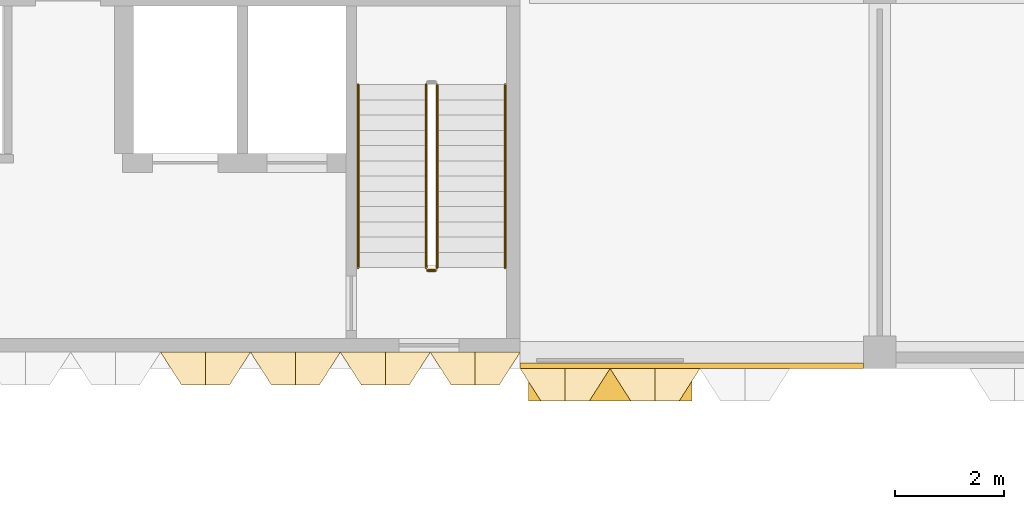
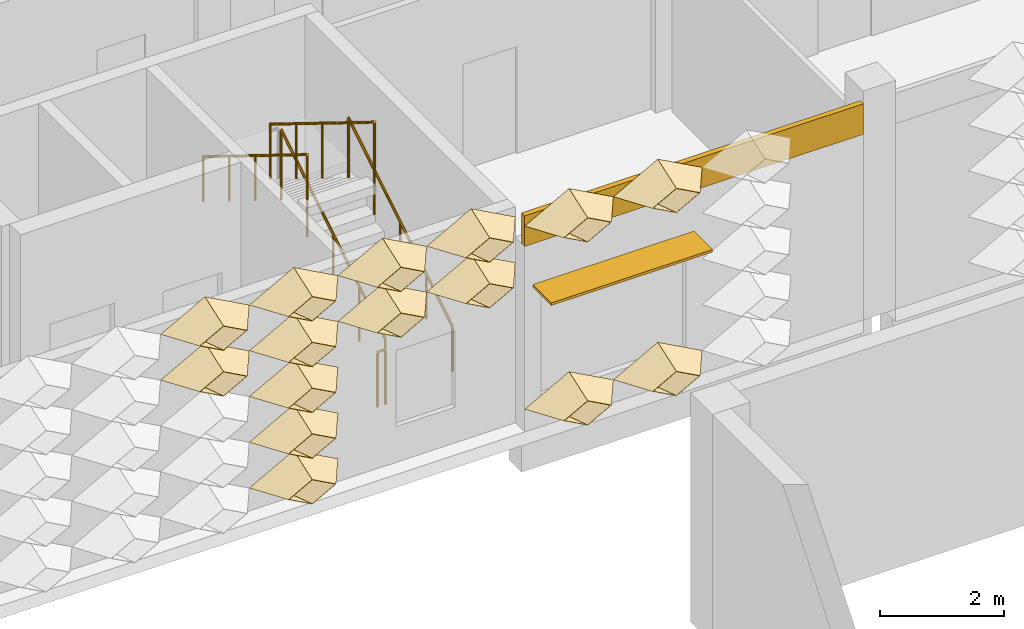
# One storey, part 74 of 87: 16 coverings, 5 railings, 1 shading device.
"""IFC4 building model written with IfcOpenShell, lengths in metres."""

from ifc_helpers import new_model, entity, si_unit, direction, frame, frame_2d, origin, origin_2d, place, context, subcontext, project, spatial, rectangle, circle, extrude, material, layer, layer_set, type_object, element, save


model = new_model("IFC4")

# Units and contexts
model_context = context("Model", 3, precision=1e-05, world=origin(), true_north=direction((0.0, 1.0)))
body_context = subcontext(model_context, "Body", "Model", "MODEL_VIEW")
ifc_project = project(units=[si_unit("LENGTHUNIT", "METRE"), si_unit("AREAUNIT", "SQUARE_METRE"), si_unit("VOLUMEUNIT", "CUBIC_METRE"), si_unit("PLANEANGLEUNIT", "RADIAN"), si_unit("MASSUNIT", "GRAM", prefix="KILO")], contexts=[model_context])

# Site, building, storey
site_placement = place(None, origin())
site = spatial("IfcSite", under=ifc_project, at=site_placement, CompositionType="ELEMENT")
building_placement = place(site_placement, origin())
building = spatial("IfcBuilding", under=site, at=building_placement, Name="Lantern Court Research Institute", CompositionType="ELEMENT")
storey_placement = place(building_placement, frame((0.0, 0.0, 5.39990234375)))
storey = spatial("IfcBuildingStorey", under=building, at=storey_placement, Name="L01", CompositionType="ELEMENT", Elevation=5.39990234375)

# Shading device
ifc_material_1 = material(Name="Aluminium alloy 6063-T6", Category="aluminium")
ifc_layer_1 = layer(ifc_material_1, 0.050048828125)
ifc_layer_set_1 = layer_set([ifc_layer_1], Name="Aluminium alloy 6063-T6")
shading_device_type = type_object("IfcShadingDeviceType", Name="Brise-soleil blade 3000 x 600 x 50 aluminium", PredefinedType="USERDEFINED", material=ifc_layer_set_1)
shading_device_placement = place(storey_placement, frame((54.449951171875, 81.89990234375, 2.80029296875), z_axis=(0.0, 0.0, 1.0), x_axis=(-1.0, 0.0, 0.0)))
element("IfcShadingDevice", 1, at=shading_device_placement, inside=storey, type_object=shading_device_type, Name="Brise-soleil blade L01 S", ObjectType="LOUVRE", PredefinedType="USERDEFINED", context=body_context, shape_type="SweptSolid", body=[
    extrude(rectangle(XDim=3.0, YDim=0.60009765625, at=origin_2d()), origin(), (0.0, 0.0, 1.0), 0.050048828125),
])

# Coverings
ifc_material_2 = material(Name="Aluminium composite panel with mineral wool insulation", Category="aluminium")
ifc_layer_2 = layer(ifc_material_2, 0.10009765625)
ifc_layer_set_2 = layer_set([ifc_layer_2], Name="Aluminium composite panel with mineral wool insulation")
covering_type_1 = type_object("IfcCoveringType", Name="Edge fascia panel 100 aluminium faced", PredefinedType="CLADDING", material=ifc_layer_set_2)
covering_1_placement = place(storey_placement, frame((59.10009765625, 82.25, 3.650146484375), z_axis=(0.0, 0.0, 1.0), x_axis=(-1.0, 0.0, 0.0)))
element("IfcCovering", 2, at=covering_1_placement, inside=storey, type_object=covering_type_1, Name="Edge fascia V6S L01 07", PredefinedType="CLADDING", context=body_context, shape_type="SweptSolid", body=[
    extrude(rectangle(XDim=6.300048828125, YDim=0.10009765625, at=frame_2d((3.14990234375, 0.0))), origin(), (0.0, 0.0, 1.0), 0.599853515625),
])
ifc_material_3 = material(Name="Anodised aluminium", Category="aluminium")
ifc_layer_3 = layer(ifc_material_3, 0.01611328125)
ifc_layer_set_3 = layer_set([ifc_layer_3], Name="Anodised aluminium")
covering_type_2 = type_object("IfcCoveringType", Name="Fin cassette 1650 x 900 x 600 aluminium", PredefinedType="CLADDING", material=ifc_layer_set_3)
covering_2_placement = place(storey_placement, frame((48.675048828125, 82.5, 0.4501953125), z_axis=(0.0, -1.0, 0.0), x_axis=(1.0, 0.0, 0.0)))
cartesian_point_1 = entity("IfcCartesianPoint", [0.824951171875, 0.0])
cartesian_point_2 = entity("IfcCartesianPoint", [0.79150390625, 0.0])
cartesian_point_3 = entity("IfcCartesianPoint", [0.44189453125, 0.0])
cartesian_point_4 = entity("IfcCartesianPoint", [0.43359375, 0.0])
element("IfcCovering", 3, at=covering_2_placement, inside=storey, type_object=covering_type_2, Name="Fin cassette V6S-L01 1.30", PredefinedType="CLADDING", context=body_context, shape_type="SweptSolid", body=[
    entity("IfcExtrudedAreaSolidTapered", entity("IfcArbitraryProfileDefWithVoids", "AREA", None, entity("IfcPolyline", [cartesian_point_1, entity("IfcCartesianPoint", [0.0, 0.449951171875]), entity("IfcCartesianPoint", [-0.824951171875, 0.0]), entity("IfcCartesianPoint", [0.0, -0.449951171875]), cartesian_point_1]), [entity("IfcPolyline", [cartesian_point_2, entity("IfcCartesianPoint", [0.0, 0.431884765625]), entity("IfcCartesianPoint", [-0.79150390625, 0.0]), entity("IfcCartesianPoint", [0.0, -0.431884765625]), cartesian_point_2])]), entity("IfcAxis2Placement3D", entity("IfcCartesianPoint", [0.0, 0.0, 0.0])), entity("IfcDirection", [0.0, 0.0, 1.0]), 0.60009765625, entity("IfcArbitraryProfileDefWithVoids", "AREA", None, entity("IfcPolyline", [cartesian_point_3, entity("IfcCartesianPoint", [0.0, 0.240966796875]), entity("IfcCartesianPoint", [-0.44189453125, 0.0]), entity("IfcCartesianPoint", [0.0, -0.240966796875]), cartesian_point_3]), [entity("IfcPolyline", [cartesian_point_4, entity("IfcCartesianPoint", [0.0, 0.236572265625]), entity("IfcCartesianPoint", [-0.43359375, 0.0]), entity("IfcCartesianPoint", [0.0, -0.236572265625]), cartesian_point_4])])),
])
covering_3_placement = place(storey_placement, frame((48.675048828125, 82.5, 1.35009765625), z_axis=(0.0, -1.0, 0.0), x_axis=(1.0, 0.0, 0.0)))
cartesian_point_5 = entity("IfcCartesianPoint", [0.824951171875, 0.0])
cartesian_point_6 = entity("IfcCartesianPoint", [0.79150390625, 0.0])
cartesian_point_7 = entity("IfcCartesianPoint", [0.44189453125, 0.0])
cartesian_point_8 = entity("IfcCartesianPoint", [0.43359375, 0.0])
element("IfcCovering", 4, at=covering_3_placement, inside=storey, type_object=covering_type_2, Name="Fin cassette V6S-L01 2.30", PredefinedType="CLADDING", context=body_context, shape_type="SweptSolid", body=[
    entity("IfcExtrudedAreaSolidTapered", entity("IfcArbitraryProfileDefWithVoids", "AREA", None, entity("IfcPolyline", [cartesian_point_5, entity("IfcCartesianPoint", [0.0, 0.449951171875]), entity("IfcCartesianPoint", [-0.824951171875, 0.0]), entity("IfcCartesianPoint", [0.0, -0.449951171875]), cartesian_point_5]), [entity("IfcPolyline", [cartesian_point_6, entity("IfcCartesianPoint", [0.0, 0.431884765625]), entity("IfcCartesianPoint", [-0.79150390625, 0.0]), entity("IfcCartesianPoint", [0.0, -0.431884765625]), cartesian_point_6])]), entity("IfcAxis2Placement3D", entity("IfcCartesianPoint", [0.0, 0.0, 0.0])), entity("IfcDirection", [0.0, 0.0, 1.0]), 0.60009765625, entity("IfcArbitraryProfileDefWithVoids", "AREA", None, entity("IfcPolyline", [cartesian_point_7, entity("IfcCartesianPoint", [0.0, 0.240966796875]), entity("IfcCartesianPoint", [-0.44189453125, 0.0]), entity("IfcCartesianPoint", [0.0, -0.240966796875]), cartesian_point_7]), [entity("IfcPolyline", [cartesian_point_8, entity("IfcCartesianPoint", [0.0, 0.236572265625]), entity("IfcCartesianPoint", [-0.43359375, 0.0]), entity("IfcCartesianPoint", [0.0, -0.236572265625]), cartesian_point_8])])),
])
covering_4_placement = place(storey_placement, frame((48.675048828125, 82.5, 2.25), z_axis=(0.0, -1.0, 0.0), x_axis=(1.0, 0.0, 0.0)))
cartesian_point_9 = entity("IfcCartesianPoint", [0.824951171875, 0.0])
cartesian_point_10 = entity("IfcCartesianPoint", [0.79150390625, 0.0])
cartesian_point_11 = entity("IfcCartesianPoint", [0.44189453125, 0.0])
cartesian_point_12 = entity("IfcCartesianPoint", [0.43359375, 0.0])
element("IfcCovering", 5, at=covering_4_placement, inside=storey, type_object=covering_type_2, Name="Fin cassette V6S-L01 3.30", PredefinedType="CLADDING", context=body_context, shape_type="SweptSolid", body=[
    entity("IfcExtrudedAreaSolidTapered", entity("IfcArbitraryProfileDefWithVoids", "AREA", None, entity("IfcPolyline", [cartesian_point_9, entity("IfcCartesianPoint", [0.0, 0.449951171875]), entity("IfcCartesianPoint", [-0.824951171875, 0.0]), entity("IfcCartesianPoint", [0.0, -0.449951171875]), cartesian_point_9]), [entity("IfcPolyline", [cartesian_point_10, entity("IfcCartesianPoint", [0.0, 0.431884765625]), entity("IfcCartesianPoint", [-0.79150390625, 0.0]), entity("IfcCartesianPoint", [0.0, -0.431884765625]), cartesian_point_10])]), entity("IfcAxis2Placement3D", entity("IfcCartesianPoint", [0.0, 0.0, 0.0])), entity("IfcDirection", [0.0, 0.0, 1.0]), 0.60009765625, entity("IfcArbitraryProfileDefWithVoids", "AREA", None, entity("IfcPolyline", [cartesian_point_11, entity("IfcCartesianPoint", [0.0, 0.240966796875]), entity("IfcCartesianPoint", [-0.44189453125, 0.0]), entity("IfcCartesianPoint", [0.0, -0.240966796875]), cartesian_point_11]), [entity("IfcPolyline", [cartesian_point_12, entity("IfcCartesianPoint", [0.0, 0.236572265625]), entity("IfcCartesianPoint", [-0.43359375, 0.0]), entity("IfcCartesianPoint", [0.0, -0.236572265625]), cartesian_point_12])])),
])
covering_5_placement = place(storey_placement, frame((47.02490234375, 82.5, 3.150146484375), z_axis=(0.0, -1.0, 0.0), x_axis=(1.0, 0.0, 0.0)))
cartesian_point_13 = entity("IfcCartesianPoint", [0.824951171875, 0.0])
cartesian_point_14 = entity("IfcCartesianPoint", [0.79150390625, 0.0])
cartesian_point_15 = entity("IfcCartesianPoint", [0.44189453125, 0.0])
cartesian_point_16 = entity("IfcCartesianPoint", [0.43359375, 0.0])
element("IfcCovering", 6, at=covering_5_placement, inside=storey, type_object=covering_type_2, Name="Fin cassette V6S-L01 4.29", PredefinedType="CLADDING", context=body_context, shape_type="SweptSolid", body=[
    entity("IfcExtrudedAreaSolidTapered", entity("IfcArbitraryProfileDefWithVoids", "AREA", None, entity("IfcPolyline", [cartesian_point_13, entity("IfcCartesianPoint", [0.0, 0.449951171875]), entity("IfcCartesianPoint", [-0.824951171875, 0.0]), entity("IfcCartesianPoint", [0.0, -0.449951171875]), cartesian_point_13]), [entity("IfcPolyline", [cartesian_point_14, entity("IfcCartesianPoint", [0.0, 0.431884765625]), entity("IfcCartesianPoint", [-0.79150390625, 0.0]), entity("IfcCartesianPoint", [0.0, -0.431884765625]), cartesian_point_14])]), entity("IfcAxis2Placement3D", entity("IfcCartesianPoint", [0.0, 0.0, 0.0])), entity("IfcDirection", [0.0, 0.0, 1.0]), 0.60009765625, entity("IfcArbitraryProfileDefWithVoids", "AREA", None, entity("IfcPolyline", [cartesian_point_15, entity("IfcCartesianPoint", [0.0, 0.240966796875]), entity("IfcCartesianPoint", [-0.44189453125, 0.0]), entity("IfcCartesianPoint", [0.0, -0.240966796875]), cartesian_point_15]), [entity("IfcPolyline", [cartesian_point_16, entity("IfcCartesianPoint", [0.0, 0.236572265625]), entity("IfcCartesianPoint", [-0.43359375, 0.0]), entity("IfcCartesianPoint", [0.0, -0.236572265625]), cartesian_point_16])])),
])
covering_6_placement = place(storey_placement, frame((48.675048828125, 82.5, 3.150146484375), z_axis=(0.0, -1.0, 0.0), x_axis=(1.0, 0.0, 0.0)))
cartesian_point_17 = entity("IfcCartesianPoint", [0.824951171875, 0.0])
cartesian_point_18 = entity("IfcCartesianPoint", [0.79150390625, 0.0])
cartesian_point_19 = entity("IfcCartesianPoint", [0.44189453125, 0.0])
cartesian_point_20 = entity("IfcCartesianPoint", [0.43359375, 0.0])
element("IfcCovering", 7, at=covering_6_placement, inside=storey, type_object=covering_type_2, Name="Fin cassette V6S-L01 4.30", PredefinedType="CLADDING", context=body_context, shape_type="SweptSolid", body=[
    entity("IfcExtrudedAreaSolidTapered", entity("IfcArbitraryProfileDefWithVoids", "AREA", None, entity("IfcPolyline", [cartesian_point_17, entity("IfcCartesianPoint", [0.0, 0.449951171875]), entity("IfcCartesianPoint", [-0.824951171875, 0.0]), entity("IfcCartesianPoint", [0.0, -0.449951171875]), cartesian_point_17]), [entity("IfcPolyline", [cartesian_point_18, entity("IfcCartesianPoint", [0.0, 0.431884765625]), entity("IfcCartesianPoint", [-0.79150390625, 0.0]), entity("IfcCartesianPoint", [0.0, -0.431884765625]), cartesian_point_18])]), entity("IfcAxis2Placement3D", entity("IfcCartesianPoint", [0.0, 0.0, 0.0])), entity("IfcDirection", [0.0, 0.0, 1.0]), 0.60009765625, entity("IfcArbitraryProfileDefWithVoids", "AREA", None, entity("IfcPolyline", [cartesian_point_19, entity("IfcCartesianPoint", [0.0, 0.240966796875]), entity("IfcCartesianPoint", [-0.44189453125, 0.0]), entity("IfcCartesianPoint", [0.0, -0.240966796875]), cartesian_point_19]), [entity("IfcPolyline", [cartesian_point_20, entity("IfcCartesianPoint", [0.0, 0.236572265625]), entity("IfcCartesianPoint", [-0.43359375, 0.0]), entity("IfcCartesianPoint", [0.0, -0.236572265625]), cartesian_point_20])])),
])
covering_7_placement = place(storey_placement, frame((50.324951171875, 82.5, 3.150146484375), z_axis=(0.0, -1.0, 0.0), x_axis=(1.0, 0.0, 0.0)))
cartesian_point_21 = entity("IfcCartesianPoint", [0.824951171875, 0.0])
cartesian_point_22 = entity("IfcCartesianPoint", [0.79150390625, 0.0])
cartesian_point_23 = entity("IfcCartesianPoint", [0.44189453125, 0.0])
cartesian_point_24 = entity("IfcCartesianPoint", [0.43359375, 0.0])
element("IfcCovering", 8, at=covering_7_placement, inside=storey, type_object=covering_type_2, Name="Fin cassette V6S-L01 4.31", PredefinedType="CLADDING", context=body_context, shape_type="SweptSolid", body=[
    entity("IfcExtrudedAreaSolidTapered", entity("IfcArbitraryProfileDefWithVoids", "AREA", None, entity("IfcPolyline", [cartesian_point_21, entity("IfcCartesianPoint", [0.0, 0.449951171875]), entity("IfcCartesianPoint", [-0.824951171875, 0.0]), entity("IfcCartesianPoint", [0.0, -0.449951171875]), cartesian_point_21]), [entity("IfcPolyline", [cartesian_point_22, entity("IfcCartesianPoint", [0.0, 0.431884765625]), entity("IfcCartesianPoint", [-0.79150390625, 0.0]), entity("IfcCartesianPoint", [0.0, -0.431884765625]), cartesian_point_22])]), entity("IfcAxis2Placement3D", entity("IfcCartesianPoint", [0.0, 0.0, 0.0])), entity("IfcDirection", [0.0, 0.0, 1.0]), 0.60009765625, entity("IfcArbitraryProfileDefWithVoids", "AREA", None, entity("IfcPolyline", [cartesian_point_23, entity("IfcCartesianPoint", [0.0, 0.240966796875]), entity("IfcCartesianPoint", [-0.44189453125, 0.0]), entity("IfcCartesianPoint", [0.0, -0.240966796875]), cartesian_point_23]), [entity("IfcPolyline", [cartesian_point_24, entity("IfcCartesianPoint", [0.0, 0.236572265625]), entity("IfcCartesianPoint", [-0.43359375, 0.0]), entity("IfcCartesianPoint", [0.0, -0.236572265625]), cartesian_point_24])])),
])
covering_8_placement = place(storey_placement, frame((51.97509765625, 82.5, 3.150146484375), z_axis=(0.0, -1.0, 0.0), x_axis=(1.0, 0.0, 0.0)))
cartesian_point_25 = entity("IfcCartesianPoint", [0.824951171875, 0.0])
cartesian_point_26 = entity("IfcCartesianPoint", [0.79150390625, 0.0])
cartesian_point_27 = entity("IfcCartesianPoint", [0.44189453125, 0.0])
cartesian_point_28 = entity("IfcCartesianPoint", [0.43359375, 0.0])
element("IfcCovering", 9, at=covering_8_placement, inside=storey, type_object=covering_type_2, Name="Fin cassette V6S-L01 4.32", PredefinedType="CLADDING", context=body_context, shape_type="SweptSolid", body=[
    entity("IfcExtrudedAreaSolidTapered", entity("IfcArbitraryProfileDefWithVoids", "AREA", None, entity("IfcPolyline", [cartesian_point_25, entity("IfcCartesianPoint", [0.0, 0.449951171875]), entity("IfcCartesianPoint", [-0.824951171875, 0.0]), entity("IfcCartesianPoint", [0.0, -0.449951171875]), cartesian_point_25]), [entity("IfcPolyline", [cartesian_point_26, entity("IfcCartesianPoint", [0.0, 0.431884765625]), entity("IfcCartesianPoint", [-0.79150390625, 0.0]), entity("IfcCartesianPoint", [0.0, -0.431884765625]), cartesian_point_26])]), entity("IfcAxis2Placement3D", entity("IfcCartesianPoint", [0.0, 0.0, 0.0])), entity("IfcDirection", [0.0, 0.0, 1.0]), 0.60009765625, entity("IfcArbitraryProfileDefWithVoids", "AREA", None, entity("IfcPolyline", [cartesian_point_27, entity("IfcCartesianPoint", [0.0, 0.240966796875]), entity("IfcCartesianPoint", [-0.44189453125, 0.0]), entity("IfcCartesianPoint", [0.0, -0.240966796875]), cartesian_point_27]), [entity("IfcPolyline", [cartesian_point_28, entity("IfcCartesianPoint", [0.0, 0.236572265625]), entity("IfcCartesianPoint", [-0.43359375, 0.0]), entity("IfcCartesianPoint", [0.0, -0.236572265625]), cartesian_point_28])])),
])
covering_9_placement = place(storey_placement, frame((47.02490234375, 82.5, 4.050048828125), z_axis=(0.0, -1.0, 0.0), x_axis=(1.0, 0.0, 0.0)))
cartesian_point_29 = entity("IfcCartesianPoint", [0.824951171875, 0.0])
cartesian_point_30 = entity("IfcCartesianPoint", [0.79150390625, 0.0])
cartesian_point_31 = entity("IfcCartesianPoint", [0.44189453125, 0.0])
cartesian_point_32 = entity("IfcCartesianPoint", [0.43359375, 0.0])
element("IfcCovering", 10, at=covering_9_placement, inside=storey, type_object=covering_type_2, Name="Fin cassette V6S-L01 5.29", PredefinedType="CLADDING", context=body_context, shape_type="SweptSolid", body=[
    entity("IfcExtrudedAreaSolidTapered", entity("IfcArbitraryProfileDefWithVoids", "AREA", None, entity("IfcPolyline", [cartesian_point_29, entity("IfcCartesianPoint", [0.0, 0.449951171875]), entity("IfcCartesianPoint", [-0.824951171875, 0.0]), entity("IfcCartesianPoint", [0.0, -0.449951171875]), cartesian_point_29]), [entity("IfcPolyline", [cartesian_point_30, entity("IfcCartesianPoint", [0.0, 0.431884765625]), entity("IfcCartesianPoint", [-0.79150390625, 0.0]), entity("IfcCartesianPoint", [0.0, -0.431884765625]), cartesian_point_30])]), entity("IfcAxis2Placement3D", entity("IfcCartesianPoint", [0.0, 0.0, 0.0])), entity("IfcDirection", [0.0, 0.0, 1.0]), 0.60009765625, entity("IfcArbitraryProfileDefWithVoids", "AREA", None, entity("IfcPolyline", [cartesian_point_31, entity("IfcCartesianPoint", [0.0, 0.240966796875]), entity("IfcCartesianPoint", [-0.44189453125, 0.0]), entity("IfcCartesianPoint", [0.0, -0.240966796875]), cartesian_point_31]), [entity("IfcPolyline", [cartesian_point_32, entity("IfcCartesianPoint", [0.0, 0.236572265625]), entity("IfcCartesianPoint", [-0.43359375, 0.0]), entity("IfcCartesianPoint", [0.0, -0.236572265625]), cartesian_point_32])])),
])
covering_10_placement = place(storey_placement, frame((48.675048828125, 82.5, 4.050048828125), z_axis=(0.0, -1.0, 0.0), x_axis=(1.0, 0.0, 0.0)))
cartesian_point_33 = entity("IfcCartesianPoint", [0.824951171875, 0.0])
cartesian_point_34 = entity("IfcCartesianPoint", [0.79150390625, 0.0])
cartesian_point_35 = entity("IfcCartesianPoint", [0.44189453125, 0.0])
cartesian_point_36 = entity("IfcCartesianPoint", [0.43359375, 0.0])
element("IfcCovering", 11, at=covering_10_placement, inside=storey, type_object=covering_type_2, Name="Fin cassette V6S-L01 5.30", PredefinedType="CLADDING", context=body_context, shape_type="SweptSolid", body=[
    entity("IfcExtrudedAreaSolidTapered", entity("IfcArbitraryProfileDefWithVoids", "AREA", None, entity("IfcPolyline", [cartesian_point_33, entity("IfcCartesianPoint", [0.0, 0.449951171875]), entity("IfcCartesianPoint", [-0.824951171875, 0.0]), entity("IfcCartesianPoint", [0.0, -0.449951171875]), cartesian_point_33]), [entity("IfcPolyline", [cartesian_point_34, entity("IfcCartesianPoint", [0.0, 0.431884765625]), entity("IfcCartesianPoint", [-0.79150390625, 0.0]), entity("IfcCartesianPoint", [0.0, -0.431884765625]), cartesian_point_34])]), entity("IfcAxis2Placement3D", entity("IfcCartesianPoint", [0.0, 0.0, 0.0])), entity("IfcDirection", [0.0, 0.0, 1.0]), 0.60009765625, entity("IfcArbitraryProfileDefWithVoids", "AREA", None, entity("IfcPolyline", [cartesian_point_35, entity("IfcCartesianPoint", [0.0, 0.240966796875]), entity("IfcCartesianPoint", [-0.44189453125, 0.0]), entity("IfcCartesianPoint", [0.0, -0.240966796875]), cartesian_point_35]), [entity("IfcPolyline", [cartesian_point_36, entity("IfcCartesianPoint", [0.0, 0.236572265625]), entity("IfcCartesianPoint", [-0.43359375, 0.0]), entity("IfcCartesianPoint", [0.0, -0.236572265625]), cartesian_point_36])])),
])
covering_11_placement = place(storey_placement, frame((50.324951171875, 82.5, 4.050048828125), z_axis=(0.0, -1.0, 0.0), x_axis=(1.0, 0.0, 0.0)))
cartesian_point_37 = entity("IfcCartesianPoint", [0.824951171875, 0.0])
cartesian_point_38 = entity("IfcCartesianPoint", [0.79150390625, 0.0])
cartesian_point_39 = entity("IfcCartesianPoint", [0.44189453125, 0.0])
cartesian_point_40 = entity("IfcCartesianPoint", [0.43359375, 0.0])
element("IfcCovering", 12, at=covering_11_placement, inside=storey, type_object=covering_type_2, Name="Fin cassette V6S-L01 5.31", PredefinedType="CLADDING", context=body_context, shape_type="SweptSolid", body=[
    entity("IfcExtrudedAreaSolidTapered", entity("IfcArbitraryProfileDefWithVoids", "AREA", None, entity("IfcPolyline", [cartesian_point_37, entity("IfcCartesianPoint", [0.0, 0.449951171875]), entity("IfcCartesianPoint", [-0.824951171875, 0.0]), entity("IfcCartesianPoint", [0.0, -0.449951171875]), cartesian_point_37]), [entity("IfcPolyline", [cartesian_point_38, entity("IfcCartesianPoint", [0.0, 0.431884765625]), entity("IfcCartesianPoint", [-0.79150390625, 0.0]), entity("IfcCartesianPoint", [0.0, -0.431884765625]), cartesian_point_38])]), entity("IfcAxis2Placement3D", entity("IfcCartesianPoint", [0.0, 0.0, 0.0])), entity("IfcDirection", [0.0, 0.0, 1.0]), 0.60009765625, entity("IfcArbitraryProfileDefWithVoids", "AREA", None, entity("IfcPolyline", [cartesian_point_39, entity("IfcCartesianPoint", [0.0, 0.240966796875]), entity("IfcCartesianPoint", [-0.44189453125, 0.0]), entity("IfcCartesianPoint", [0.0, -0.240966796875]), cartesian_point_39]), [entity("IfcPolyline", [cartesian_point_40, entity("IfcCartesianPoint", [0.0, 0.236572265625]), entity("IfcCartesianPoint", [-0.43359375, 0.0]), entity("IfcCartesianPoint", [0.0, -0.236572265625]), cartesian_point_40])])),
])
covering_12_placement = place(storey_placement, frame((51.97509765625, 82.5, 4.050048828125), z_axis=(0.0, -1.0, 0.0), x_axis=(1.0, 0.0, 0.0)))
cartesian_point_41 = entity("IfcCartesianPoint", [0.824951171875, 0.0])
cartesian_point_42 = entity("IfcCartesianPoint", [0.79150390625, 0.0])
cartesian_point_43 = entity("IfcCartesianPoint", [0.44189453125, 0.0])
cartesian_point_44 = entity("IfcCartesianPoint", [0.43359375, 0.0])
element("IfcCovering", 13, at=covering_12_placement, inside=storey, type_object=covering_type_2, Name="Fin cassette V6S-L01 5.32", PredefinedType="CLADDING", context=body_context, shape_type="SweptSolid", body=[
    entity("IfcExtrudedAreaSolidTapered", entity("IfcArbitraryProfileDefWithVoids", "AREA", None, entity("IfcPolyline", [cartesian_point_41, entity("IfcCartesianPoint", [0.0, 0.449951171875]), entity("IfcCartesianPoint", [-0.824951171875, 0.0]), entity("IfcCartesianPoint", [0.0, -0.449951171875]), cartesian_point_41]), [entity("IfcPolyline", [cartesian_point_42, entity("IfcCartesianPoint", [0.0, 0.431884765625]), entity("IfcCartesianPoint", [-0.79150390625, 0.0]), entity("IfcCartesianPoint", [0.0, -0.431884765625]), cartesian_point_42])]), entity("IfcAxis2Placement3D", entity("IfcCartesianPoint", [0.0, 0.0, 0.0])), entity("IfcDirection", [0.0, 0.0, 1.0]), 0.60009765625, entity("IfcArbitraryProfileDefWithVoids", "AREA", None, entity("IfcPolyline", [cartesian_point_43, entity("IfcCartesianPoint", [0.0, 0.240966796875]), entity("IfcCartesianPoint", [-0.44189453125, 0.0]), entity("IfcCartesianPoint", [0.0, -0.240966796875]), cartesian_point_43]), [entity("IfcPolyline", [cartesian_point_44, entity("IfcCartesianPoint", [0.0, 0.236572265625]), entity("IfcCartesianPoint", [-0.43359375, 0.0]), entity("IfcCartesianPoint", [0.0, -0.236572265625]), cartesian_point_44])])),
])
covering_13_placement = place(storey_placement, frame((53.625, 82.199951171875, 0.4501953125), z_axis=(0.0, -1.0, 0.0), x_axis=(1.0, 0.0, 0.0)))
cartesian_point_45 = entity("IfcCartesianPoint", [0.824951171875, 0.0])
cartesian_point_46 = entity("IfcCartesianPoint", [0.79150390625, 0.0])
cartesian_point_47 = entity("IfcCartesianPoint", [0.44189453125, 0.0])
cartesian_point_48 = entity("IfcCartesianPoint", [0.43359375, 0.0])
element("IfcCovering", 14, at=covering_13_placement, inside=storey, type_object=covering_type_2, Name="Fin cassette V6S-L01 1.33", PredefinedType="CLADDING", context=body_context, shape_type="SweptSolid", body=[
    entity("IfcExtrudedAreaSolidTapered", entity("IfcArbitraryProfileDefWithVoids", "AREA", None, entity("IfcPolyline", [cartesian_point_45, entity("IfcCartesianPoint", [0.0, 0.449951171875]), entity("IfcCartesianPoint", [-0.824951171875, 0.0]), entity("IfcCartesianPoint", [0.0, -0.449951171875]), cartesian_point_45]), [entity("IfcPolyline", [cartesian_point_46, entity("IfcCartesianPoint", [0.0, 0.431884765625]), entity("IfcCartesianPoint", [-0.79150390625, 0.0]), entity("IfcCartesianPoint", [0.0, -0.431884765625]), cartesian_point_46])]), entity("IfcAxis2Placement3D", entity("IfcCartesianPoint", [0.0, 0.0, 0.0])), entity("IfcDirection", [0.0, 0.0, 1.0]), 0.60009765625, entity("IfcArbitraryProfileDefWithVoids", "AREA", None, entity("IfcPolyline", [cartesian_point_47, entity("IfcCartesianPoint", [0.0, 0.240966796875]), entity("IfcCartesianPoint", [-0.44189453125, 0.0]), entity("IfcCartesianPoint", [0.0, -0.240966796875]), cartesian_point_47]), [entity("IfcPolyline", [cartesian_point_48, entity("IfcCartesianPoint", [0.0, 0.236572265625]), entity("IfcCartesianPoint", [-0.43359375, 0.0]), entity("IfcCartesianPoint", [0.0, -0.236572265625]), cartesian_point_48])])),
])
covering_14_placement = place(storey_placement, frame((55.27490234375, 82.199951171875, 0.4501953125), z_axis=(0.0, -1.0, 0.0), x_axis=(1.0, 0.0, 0.0)))
cartesian_point_49 = entity("IfcCartesianPoint", [0.824951171875, 0.0])
cartesian_point_50 = entity("IfcCartesianPoint", [0.79150390625, 0.0])
cartesian_point_51 = entity("IfcCartesianPoint", [0.44189453125, 0.0])
cartesian_point_52 = entity("IfcCartesianPoint", [0.43359375, 0.0])
element("IfcCovering", 15, at=covering_14_placement, inside=storey, type_object=covering_type_2, Name="Fin cassette V6S-L01 1.34", PredefinedType="CLADDING", context=body_context, shape_type="SweptSolid", body=[
    entity("IfcExtrudedAreaSolidTapered", entity("IfcArbitraryProfileDefWithVoids", "AREA", None, entity("IfcPolyline", [cartesian_point_49, entity("IfcCartesianPoint", [0.0, 0.449951171875]), entity("IfcCartesianPoint", [-0.824951171875, 0.0]), entity("IfcCartesianPoint", [0.0, -0.449951171875]), cartesian_point_49]), [entity("IfcPolyline", [cartesian_point_50, entity("IfcCartesianPoint", [0.0, 0.431884765625]), entity("IfcCartesianPoint", [-0.79150390625, 0.0]), entity("IfcCartesianPoint", [0.0, -0.431884765625]), cartesian_point_50])]), entity("IfcAxis2Placement3D", entity("IfcCartesianPoint", [0.0, 0.0, 0.0])), entity("IfcDirection", [0.0, 0.0, 1.0]), 0.60009765625, entity("IfcArbitraryProfileDefWithVoids", "AREA", None, entity("IfcPolyline", [cartesian_point_51, entity("IfcCartesianPoint", [0.0, 0.240966796875]), entity("IfcCartesianPoint", [-0.44189453125, 0.0]), entity("IfcCartesianPoint", [0.0, -0.240966796875]), cartesian_point_51]), [entity("IfcPolyline", [cartesian_point_52, entity("IfcCartesianPoint", [0.0, 0.236572265625]), entity("IfcCartesianPoint", [-0.43359375, 0.0]), entity("IfcCartesianPoint", [0.0, -0.236572265625]), cartesian_point_52])])),
])
covering_15_placement = place(storey_placement, frame((53.625, 82.199951171875, 4.050048828125), z_axis=(0.0, -1.0, 0.0), x_axis=(1.0, 0.0, 0.0)))
cartesian_point_53 = entity("IfcCartesianPoint", [0.824951171875, 0.0])
cartesian_point_54 = entity("IfcCartesianPoint", [0.79150390625, 0.0])
cartesian_point_55 = entity("IfcCartesianPoint", [0.44189453125, 0.0])
cartesian_point_56 = entity("IfcCartesianPoint", [0.43359375, 0.0])
element("IfcCovering", 16, at=covering_15_placement, inside=storey, type_object=covering_type_2, Name="Fin cassette V6S-L01 5.33", PredefinedType="CLADDING", context=body_context, shape_type="SweptSolid", body=[
    entity("IfcExtrudedAreaSolidTapered", entity("IfcArbitraryProfileDefWithVoids", "AREA", None, entity("IfcPolyline", [cartesian_point_53, entity("IfcCartesianPoint", [0.0, 0.449951171875]), entity("IfcCartesianPoint", [-0.824951171875, 0.0]), entity("IfcCartesianPoint", [0.0, -0.449951171875]), cartesian_point_53]), [entity("IfcPolyline", [cartesian_point_54, entity("IfcCartesianPoint", [0.0, 0.431884765625]), entity("IfcCartesianPoint", [-0.79150390625, 0.0]), entity("IfcCartesianPoint", [0.0, -0.431884765625]), cartesian_point_54])]), entity("IfcAxis2Placement3D", entity("IfcCartesianPoint", [0.0, 0.0, 0.0])), entity("IfcDirection", [0.0, 0.0, 1.0]), 0.60009765625, entity("IfcArbitraryProfileDefWithVoids", "AREA", None, entity("IfcPolyline", [cartesian_point_55, entity("IfcCartesianPoint", [0.0, 0.240966796875]), entity("IfcCartesianPoint", [-0.44189453125, 0.0]), entity("IfcCartesianPoint", [0.0, -0.240966796875]), cartesian_point_55]), [entity("IfcPolyline", [cartesian_point_56, entity("IfcCartesianPoint", [0.0, 0.236572265625]), entity("IfcCartesianPoint", [-0.43359375, 0.0]), entity("IfcCartesianPoint", [0.0, -0.236572265625]), cartesian_point_56])])),
])
covering_16_placement = place(storey_placement, frame((55.27490234375, 82.199951171875, 4.050048828125), z_axis=(0.0, -1.0, 0.0), x_axis=(1.0, 0.0, 0.0)))
cartesian_point_57 = entity("IfcCartesianPoint", [0.824951171875, 0.0])
cartesian_point_58 = entity("IfcCartesianPoint", [0.79150390625, 0.0])
cartesian_point_59 = entity("IfcCartesianPoint", [0.44189453125, 0.0])
cartesian_point_60 = entity("IfcCartesianPoint", [0.43359375, 0.0])
element("IfcCovering", 17, at=covering_16_placement, inside=storey, type_object=covering_type_2, Name="Fin cassette V6S-L01 5.34", PredefinedType="CLADDING", context=body_context, shape_type="SweptSolid", body=[
    entity("IfcExtrudedAreaSolidTapered", entity("IfcArbitraryProfileDefWithVoids", "AREA", None, entity("IfcPolyline", [cartesian_point_57, entity("IfcCartesianPoint", [0.0, 0.449951171875]), entity("IfcCartesianPoint", [-0.824951171875, 0.0]), entity("IfcCartesianPoint", [0.0, -0.449951171875]), cartesian_point_57]), [entity("IfcPolyline", [cartesian_point_58, entity("IfcCartesianPoint", [0.0, 0.431884765625]), entity("IfcCartesianPoint", [-0.79150390625, 0.0]), entity("IfcCartesianPoint", [0.0, -0.431884765625]), cartesian_point_58])]), entity("IfcAxis2Placement3D", entity("IfcCartesianPoint", [0.0, 0.0, 0.0])), entity("IfcDirection", [0.0, 0.0, 1.0]), 0.60009765625, entity("IfcArbitraryProfileDefWithVoids", "AREA", None, entity("IfcPolyline", [cartesian_point_59, entity("IfcCartesianPoint", [0.0, 0.240966796875]), entity("IfcCartesianPoint", [-0.44189453125, 0.0]), entity("IfcCartesianPoint", [0.0, -0.240966796875]), cartesian_point_59]), [entity("IfcPolyline", [cartesian_point_60, entity("IfcCartesianPoint", [0.0, 0.236572265625]), entity("IfcCartesianPoint", [-0.43359375, 0.0]), entity("IfcCartesianPoint", [0.0, -0.236572265625]), cartesian_point_60])])),
])

# Railings
ifc_material_4 = material(Name="Structural steel S355", Category="steel")
railing_type_1 = type_object("IfcRailingType", Name="Stair guard 1100 steel", PredefinedType="GUARDRAIL", material=ifc_material_4)
railing_1_placement = place(storey_placement, frame((51.27490234375, 84.050048828125, 0.173095703125)))
element("IfcRailing", 18, at=railing_1_placement, inside=storey, type_object=railing_type_1, Name="L01 ST-W2 stair guard 1", PredefinedType="GUARDRAIL", context=body_context, shape_type="SweptSolid", body=[
    extrude(circle(Radius=0.02392578125, at=origin_2d()), frame((0.0, 0.0, 1.076171875), z_axis=(0.0, 0.850606129759, 0.525803396734), x_axis=(-1.0, 0.0, 0.0)), (0.0, 0.0, 1.0), 3.949951171875),
    extrude(circle(Radius=0.02099609375, at=origin_2d()), origin(), (0.0, 0.0, 1.0), 1.052001953125),
    extrude(circle(Radius=0.02099609375, at=origin_2d()), frame((0.0, 0.83984375, 0.519287109375)), (0.0, 0.0, 1.0), 1.052001953125),
    extrude(circle(Radius=0.02099609375, at=origin_2d()), frame((0.0, 1.679931640625, 1.03857421875)), (0.0, 0.0, 1.0), 1.052001953125),
    extrude(circle(Radius=0.02099609375, at=origin_2d()), frame((0.0, 2.52001953125, 1.5576171875)), (0.0, 0.0, 1.0), 1.052001953125),
    extrude(circle(Radius=0.02099609375, at=origin_2d()), frame((0.0, 3.35986328125, 2.076904296875)), (0.0, 0.0, 1.0), 1.052001953125),
])
railing_2_placement = place(storey_placement, frame((51.074951171875, 87.409912109375, 2.423095703125)))
element("IfcRailing", 19, at=railing_2_placement, inside=storey, type_object=railing_type_1, Name="L01 ST-W2 stair guard 3", PredefinedType="GUARDRAIL", context=body_context, shape_type="SweptSolid", body=[
    extrude(circle(Radius=0.02392578125, at=origin_2d()), frame((0.0, 0.0, 1.076171875), z_axis=(0.0, -0.850606129759, 0.525803396734), x_axis=(1.0, 0.0, 0.0)), (0.0, 0.0, 1.0), 3.949951171875),
    extrude(circle(Radius=0.02099609375, at=origin_2d()), origin(), (0.0, 0.0, 1.0), 1.052001953125),
    extrude(circle(Radius=0.02099609375, at=origin_2d()), frame((0.0, -0.83984375, 0.519287109375)), (0.0, 0.0, 1.0), 1.052001953125),
    extrude(circle(Radius=0.02099609375, at=origin_2d()), frame((0.0, -1.679931640625, 1.03857421875)), (0.0, 0.0, 1.0), 1.052001953125),
    extrude(circle(Radius=0.02099609375, at=origin_2d()), frame((0.0, -2.52001953125, 1.5576171875)), (0.0, 0.0, 1.0), 1.052001953125),
    extrude(circle(Radius=0.02099609375, at=origin_2d()), frame((0.0, -3.35986328125, 2.076904296875)), (0.0, 0.0, 1.0), 1.052001953125),
])
railing_3_placement = place(storey_placement, frame((51.25, 84.0, 0.0)))
element("IfcRailing", 20, at=railing_3_placement, inside=storey, type_object=railing_type_1, Name="L01 ST-W2 stair guard 4", PredefinedType="GUARDRAIL", context=body_context, shape_type="SweptSolid", body=[
    extrude(circle(Radius=0.02392578125, at=origin_2d()), frame((0.0, 0.0, 1.076171875), z_axis=(-1.0, 0.0, 0.0), x_axis=(0.0, -1.0, 0.0)), (0.0, 0.0, 1.0), 0.14990234375),
    extrude(circle(Radius=0.02099609375, at=origin_2d()), origin(), (0.0, 0.0, 1.0), 1.052001953125),
    extrude(circle(Radius=0.02099609375, at=origin_2d()), frame((-0.14990234375, 0.0, 0.0)), (0.0, 0.0, 1.0), 1.052001953125),
])
ifc_material_5 = material(Name="Stainless steel 316", Category="steel")
railing_type_2 = type_object("IfcRailingType", Name="Stair handrail 900 steel", PredefinedType="HANDRAIL", material=ifc_material_5)
railing_4_placement = place(storey_placement, frame((52.52490234375, 84.050048828125, 0.173095703125)))
element("IfcRailing", 21, at=railing_4_placement, inside=storey, type_object=railing_type_2, Name="L01 ST-W2 stair handrail 1", PredefinedType="HANDRAIL", context=body_context, shape_type="SweptSolid", body=[
    extrude(circle(Radius=0.02392578125, at=origin_2d()), frame((0.0, 0.0, 0.8759765625), z_axis=(0.0, 0.850606129759, 0.525803396734), x_axis=(-1.0, 0.0, 0.0)), (0.0, 0.0, 1.0), 3.949951171875),
    extrude(circle(Radius=0.02099609375, at=origin_2d()), origin(), (0.0, 0.0, 1.0), 0.851806640625),
    extrude(circle(Radius=0.02099609375, at=origin_2d()), frame((0.0, 0.83984375, 0.519287109375)), (0.0, 0.0, 1.0), 0.851806640625),
    extrude(circle(Radius=0.02099609375, at=origin_2d()), frame((0.0, 1.679931640625, 1.03857421875)), (0.0, 0.0, 1.0), 0.851806640625),
    extrude(circle(Radius=0.02099609375, at=origin_2d()), frame((0.0, 2.52001953125, 1.5576171875)), (0.0, 0.0, 1.0), 0.851806640625),
    extrude(circle(Radius=0.02099609375, at=origin_2d()), frame((0.0, 3.35986328125, 2.076904296875)), (0.0, 0.0, 1.0), 0.851806640625),
])
railing_5_placement = place(storey_placement, frame((49.824951171875, 87.409912109375, 2.423095703125)))
element("IfcRailing", 22, at=railing_5_placement, inside=storey, type_object=railing_type_2, Name="L01 ST-W2 stair handrail 2", PredefinedType="HANDRAIL", context=body_context, shape_type="SweptSolid", body=[
    extrude(circle(Radius=0.02392578125, at=origin_2d()), frame((0.0, 0.0, 0.8759765625), z_axis=(0.0, -0.850606129759, 0.525803396734), x_axis=(1.0, 0.0, 0.0)), (0.0, 0.0, 1.0), 3.949951171875),
    extrude(circle(Radius=0.02099609375, at=origin_2d()), origin(), (0.0, 0.0, 1.0), 0.851806640625),
    extrude(circle(Radius=0.02099609375, at=origin_2d()), frame((0.0, -0.83984375, 0.519287109375)), (0.0, 0.0, 1.0), 0.851806640625),
    extrude(circle(Radius=0.02099609375, at=origin_2d()), frame((0.0, -1.679931640625, 1.03857421875)), (0.0, 0.0, 1.0), 0.851806640625),
    extrude(circle(Radius=0.02099609375, at=origin_2d()), frame((0.0, -2.52001953125, 1.5576171875)), (0.0, 0.0, 1.0), 0.851806640625),
    extrude(circle(Radius=0.02099609375, at=origin_2d()), frame((0.0, -3.35986328125, 2.076904296875)), (0.0, 0.0, 1.0), 0.851806640625),
])

save(model, "model.ifc")
